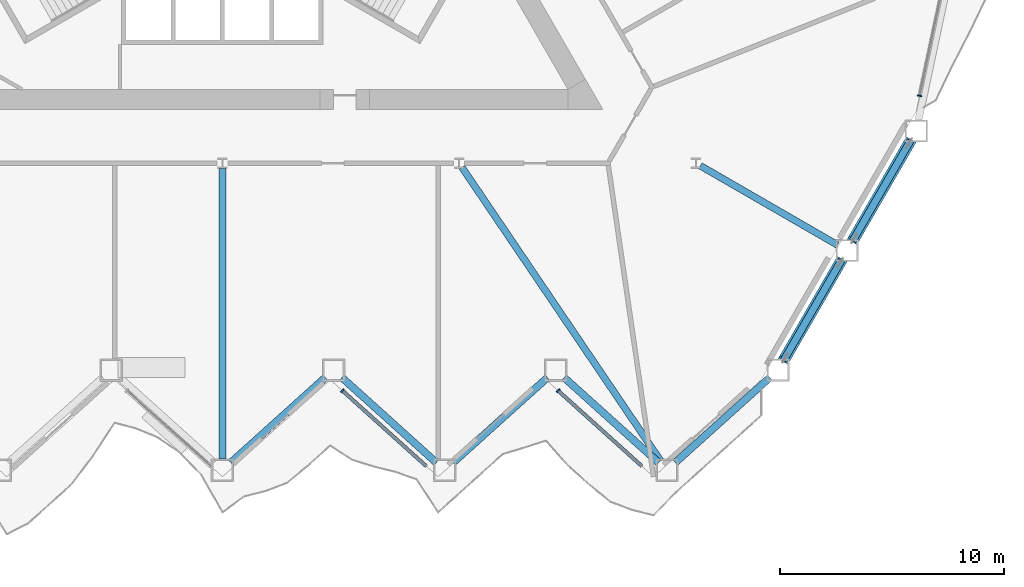
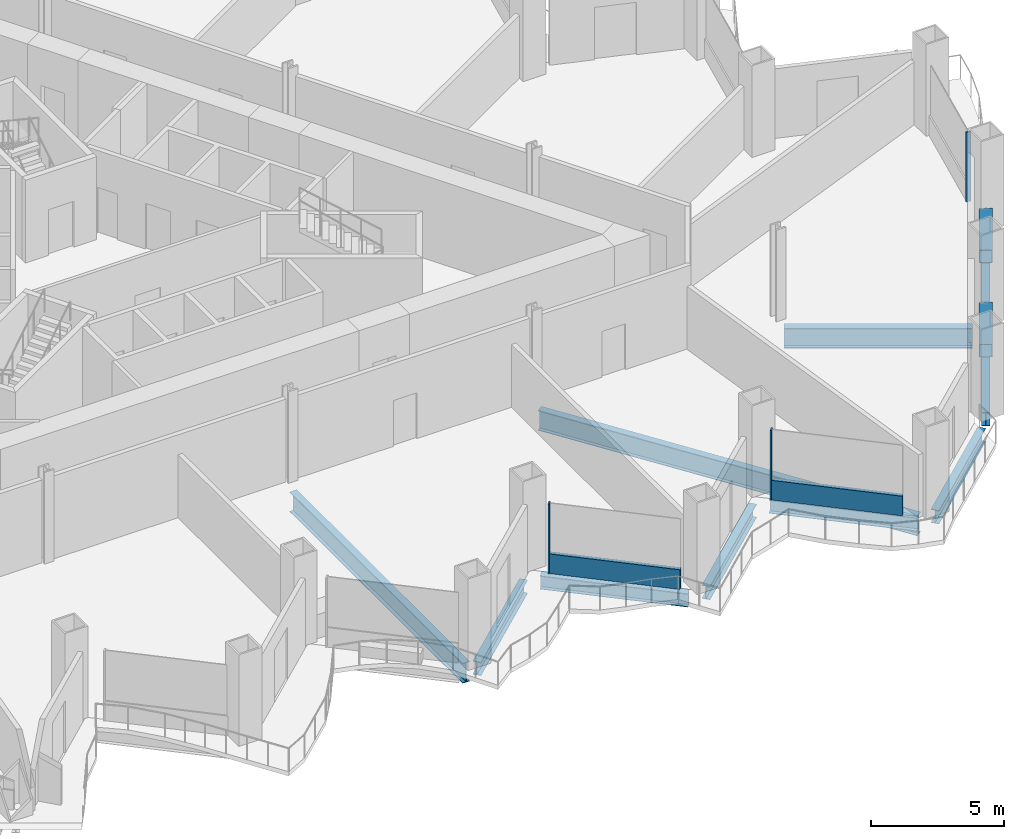
# One storey, part 4 of 20: 10 beams, 7 members, 3 elements without a shape of their own.
"""IFC4 building model written with IfcOpenShell, lengths in metres."""

import ifcopenshell
import ifcopenshell.guid

model = None  # the IFC model being written
_history = None  # IfcOwnerHistory: only IFC2X3 demands one
_inside = {}  # id of a spatial element -> (the spatial element, [elements in it])
_under = {}  # id of a project, library or spatial element -> (it, [spatial elements below it])
_declared = {}  # id of a project -> (the project, [libraries it declares])
_typed = {}  # id of a type object -> (the type object, [elements of that type])
_made_of = {}  # id of a material, layer set ... -> (it, [elements and type objects made of it])


def new_model(schema):
    """Start an empty IFC model of exactly this schema.

    Asked for "IFC4X3", IfcOpenShell would pick the latest addendum, in which some entities
    have other attributes; the version numbers below select the first issue.
    IFC2X3 requires an IfcOwnerHistory on every rooted entity: one is made here for all.
    """
    global model, _history
    if schema == "IFC4X3":
        model = ifcopenshell.file(schema_version=(4, 3, 0, 0))
    else:
        model = ifcopenshell.file(schema=schema)
    _inside.clear()
    _under.clear()
    _declared.clear()
    _typed.clear()
    _made_of.clear()
    _history = None
    if model.schema == "IFC2X3":
        org = make("IfcOrganization", Name="unknown")
        user = make(
            "IfcPersonAndOrganization",
            ThePerson=make("IfcPerson", FamilyName="unknown"),
            TheOrganization=org,
        )
        app = make(
            "IfcApplication",
            ApplicationDeveloper=org,
            Version="unknown",
            ApplicationFullName="unknown",
            ApplicationIdentifier="unknown",
        )
        _history = make(
            "IfcOwnerHistory",
            OwningUser=user,
            OwningApplication=app,
            ChangeAction="ADDED",
            CreationDate=0,
        )
    return model


def make(cls, **values):
    """One entity of the class cls with the attributes given. An attribute that is None is left unset."""
    return model.create_entity(
        cls, **{name: value for name, value in values.items() if value is not None}
    )


def rooted(cls, **values):
    """An entity with a GlobalId (a new one), such as an element, a storey or a relation."""
    return make(cls, GlobalId=ifcopenshell.guid.new(), OwnerHistory=_history, **values)


def si_unit(unit_type, name, prefix=None):
    """IfcSIUnit, for example si_unit("LENGTHUNIT", "METRE", prefix="MILLI")."""
    return make("IfcSIUnit", UnitType=unit_type, Prefix=prefix, Name=name)


def assignment(units):
    """IfcUnitAssignment: the units of a project."""
    return None if units is None else make("IfcUnitAssignment", Units=units)


def point(xyz):
    """IfcCartesianPoint."""
    return None if xyz is None else make("IfcCartesianPoint", Coordinates=xyz)


def direction(xyz):
    """IfcDirection."""
    return None if xyz is None else make("IfcDirection", DirectionRatios=xyz)


def frame(location, z_axis=None, x_axis=None):
    """IfcAxis2Placement3D, a coordinate frame: its origin and axes. An axis left out is left unset."""
    return make(
        "IfcAxis2Placement3D",
        Location=point(location),
        Axis=direction(z_axis),
        RefDirection=direction(x_axis),
    )


def frame_2d(location, x_axis=None):
    """IfcAxis2Placement2D, a coordinate frame in the plane: its origin and x axis."""
    return make(
        "IfcAxis2Placement2D", Location=point(location), RefDirection=direction(x_axis)
    )


def origin():
    """The frame at (0, 0, 0) with its axes left unset."""
    return frame((0.0, 0.0, 0.0))


def origin_2d():
    """The frame at (0, 0) in the plane with its x axis left unset."""
    return frame_2d((0.0, 0.0))


def place(relative_to, where):
    """IfcLocalPlacement: puts the frame where relative to a parent placement (None: the world)."""
    return make(
        "IfcLocalPlacement", PlacementRelTo=relative_to, RelativePlacement=where
    )


def context(
    kind, dimensions, precision=None, world=None, true_north=None, identifier=None
):
    """IfcGeometricRepresentationContext, for example the 3D "Model" context."""
    return make(
        "IfcGeometricRepresentationContext",
        ContextIdentifier=identifier,
        ContextType=kind,
        CoordinateSpaceDimension=dimensions,
        Precision=precision,
        WorldCoordinateSystem=world,
        TrueNorth=true_north,
    )


def subcontext(parent, identifier, kind, view, scale=None):
    """IfcGeometricRepresentationSubContext, for example "Body" below "Model"."""
    return make(
        "IfcGeometricRepresentationSubContext",
        ContextIdentifier=identifier,
        ContextType=kind,
        ParentContext=parent,
        TargetScale=scale,
        TargetView=view,
    )


def project(units=None, contexts=None):
    """IfcProject with its units and contexts."""
    return rooted(
        "IfcProject",
        Name="project",
        RepresentationContexts=contexts,
        UnitsInContext=assignment(units),
    )


def spatial(cls, under=None, at=None, **own):
    """A site, building, storey or space (cls), placed at a placement, below another one or the project."""
    s = rooted(cls, ObjectPlacement=at, **own)
    if under is not None:
        _under.setdefault(under.id(), (under, []))[1].append(s)
    return s


def profile(cls, at=None, kind="AREA", **sizes):
    """A parametric profile (cls). Its sizes go by their IFC names, for example OverallWidth=200.0."""
    return make(cls, ProfileType=kind, Position=at, **sizes)


def rectangle(**sizes):
    """IfcRectangleProfileDef."""
    return profile("IfcRectangleProfileDef", **sizes)


def hollow_rectangle(**sizes):
    """IfcRectangleHollowProfileDef."""
    return profile("IfcRectangleHollowProfileDef", **sizes)


def i_section(**sizes):
    """IfcIShapeProfileDef."""
    return profile("IfcIShapeProfileDef", **sizes)


def extrude(swept, where, along, depth):
    """IfcExtrudedAreaSolid: the profile swept, set in the frame where, extruded along a direction by depth."""
    return make(
        "IfcExtrudedAreaSolid",
        SweptArea=swept,
        Position=where,
        ExtrudedDirection=direction(along),
        Depth=depth,
    )


def shape(context_of_items, identifier, shape_type, items):
    """IfcShapeRepresentation: the items that make up one representation, for example the "Body"."""
    return make(
        "IfcShapeRepresentation",
        ContextOfItems=context_of_items,
        RepresentationIdentifier=identifier,
        RepresentationType=shape_type,
        Items=items,
    )


def material(Name=None, Category=None):
    """IfcMaterial."""
    return make("IfcMaterial", Name=Name, Category=Category)


def layer(
    of_material, thickness, ventilated=None, Name=None, Category=None, Priority=None
):
    """IfcMaterialLayer: one layer of a wall or slab, of a material (None: an air gap)."""
    return make(
        "IfcMaterialLayer",
        Material=of_material,
        LayerThickness=thickness,
        IsVentilated=ventilated,
        Name=Name,
        Category=Category,
        Priority=Priority,
    )


def layer_set(layers, Name=None):
    """IfcMaterialLayerSet."""
    return make("IfcMaterialLayerSet", MaterialLayers=layers, LayerSetName=Name)


def material_profile(
    of_material, cross_section, Name=None, Category=None, Priority=None
):
    """IfcMaterialProfile: a cross section and its material."""
    return make(
        "IfcMaterialProfile",
        Name=Name,
        Material=of_material,
        Profile=cross_section,
        Priority=Priority,
        Category=Category,
    )


def profile_set(profiles, Name=None, composite=None):
    """IfcMaterialProfileSet."""
    return make(
        "IfcMaterialProfileSet",
        Name=Name,
        MaterialProfiles=profiles,
        CompositeProfile=composite,
    )


def made_of(thing, what):
    """Note that an element or type object is made of a material, layer set ...; save() writes the relation."""
    if what is not None:
        _made_of.setdefault(what.id(), (what, []))[1].append(thing)
    return thing


def type_object(cls, material=None, **own):
    """A type object (cls), such as IfcWallType, which elements share."""
    return made_of(rooted(cls, **own), material)


def element(
    cls,
    number,
    at=None,
    inside=None,
    cuts=None,
    type_object=None,
    material=None,
    context=None,
    identifier="Body",
    shape_type=None,
    held_by="IfcProductDefinitionShape",
    body=None,
    shapes=None,
    **own,
):
    """One element of the class cls, such as IfcWall. Its Tag is "e" and its number.

    at: its placement. inside: the storey or other place that contains it. cuts: it is an
    opening in that element (IfcRelVoidsElement). A single representation is given by context,
    identifier, shape_type and body (its items); several are given by shapes. held_by: the class
    of the entity that holds the representations. save() writes the other relations.
    """
    e = rooted(cls, Tag="e%d" % number, ObjectPlacement=at, **own)
    if body is not None:
        shapes = [shape(context, identifier, shape_type, body)]
    if shapes is not None:
        e.Representation = make(held_by, Representations=shapes)
    if inside is not None:
        _inside.setdefault(inside.id(), (inside, []))[1].append(e)
    if cuts is not None:
        rooted(
            "IfcRelVoidsElement", RelatingBuildingElement=cuts, RelatedOpeningElement=e
        )
    if type_object is not None:
        _typed.setdefault(type_object.id(), (type_object, []))[1].append(e)
    return made_of(e, material)


def aggregate(whole, parts):
    """IfcRelAggregates: a whole, such as a stair, and the parts it consists of."""
    return rooted("IfcRelAggregates", RelatingObject=whole, RelatedObjects=parts)


def save(model, path):
    """Write the relations noted so far, then the file.

    IfcRelAggregates (storeys below a building ...), IfcRelContainedInSpatialStructure (elements
    in a storey), IfcRelDefinesByType, IfcRelAssociatesMaterial and IfcRelDeclares: one each for
    every whole, place, type object, material and project.
    """
    for whole, parts in _under.values():
        aggregate(whole, parts)
    for where, things in _inside.values():
        rooted(
            "IfcRelContainedInSpatialStructure",
            RelatedElements=things,
            RelatingStructure=where,
        )
    for kind, things in _typed.values():
        rooted("IfcRelDefinesByType", RelatedObjects=things, RelatingType=kind)
    for what, things in _made_of.values():
        rooted("IfcRelAssociatesMaterial", RelatedObjects=things, RelatingMaterial=what)
    for by, libraries in _declared.values():
        rooted("IfcRelDeclares", RelatingContext=by, RelatedDefinitions=libraries)
    model.write(path)


model = new_model("IFC4")

# Units and contexts
model_context = context("Model", 3, precision=1e-05, world=origin(), true_north=direction((0.0, 1.0)))
body_context = subcontext(model_context, "Body", "Model", "MODEL_VIEW")
ifc_project = project(units=[si_unit("LENGTHUNIT", "METRE"), si_unit("AREAUNIT", "SQUARE_METRE"), si_unit("VOLUMEUNIT", "CUBIC_METRE"), si_unit("PLANEANGLEUNIT", "RADIAN"), si_unit("MASSUNIT", "GRAM", prefix="KILO")], contexts=[model_context])

# Site, building, storey
site_placement = place(None, origin())
site = spatial("IfcSite", under=ifc_project, at=site_placement, CompositionType="ELEMENT")
building_placement = place(site_placement, origin())
building = spatial("IfcBuilding", under=site, at=building_placement, Name="Cormorant Prow Tower", CompositionType="ELEMENT")
storey_placement = place(building_placement, frame((0.0, 0.0, 38.39990234375)))
storey = spatial("IfcBuildingStorey", under=building, at=storey_placement, Name="L07", CompositionType="ELEMENT", Elevation=38.39990234375)

# Members
ifc_material_1 = material(Name="Structural steel ASTM A500 Gr C", Category="steel")
ifc_material_profile_1 = material_profile(ifc_material_1, hollow_rectangle(XDim=0.508056640625, YDim=0.508056640625, WallThickness=0.014892578125, at=origin_2d()), Name="HSS20x20x5/8")
ifc_profile_set_1 = profile_set([ifc_material_profile_1], Name="Structural steel ASTM A500 Gr C")
member_type_1 = type_object("IfcMemberType", Name="Chamfer brace HSS20x20x5/8", PredefinedType="BRACE", material=ifc_profile_set_1)
member_1_placement = place(storey_placement, frame((27.65576171875, -16.566162109375, 0.767333984375), z_axis=(-0.47589308504, -0.824244468952, 0.306833549359), x_axis=(0.866018434186, -0.500012071504, 0.0)))
element("IfcMember", 1, at=member_1_placement, inside=storey, type_object=member_type_1, Name="Chamfer brace BR1 at ESE00 L07", PredefinedType="BRACE", context=body_context, shape_type="SweptSolid", body=[
    extrude(hollow_rectangle(XDim=0.508056640625, YDim=0.508056640625, WallThickness=0.014892578125, at=origin_2d()), origin(), (0.0, 0.0, 1.0), 5.392333984375),
])
member_2_placement = place(storey_placement, frame((30.74072265625, -11.222900390625, 0.767333984375), z_axis=(-0.475875326044, -0.824258984489, 0.306822099191), x_axis=(0.866030326616, -0.499991473309, 0.0)))
element("IfcMember", 2, at=member_2_placement, inside=storey, type_object=member_type_1, Name="Chamfer brace BR1 at ESE01 L07", PredefinedType="BRACE", context=body_context, shape_type="SweptSolid", body=[
    extrude(hollow_rectangle(XDim=0.508056640625, YDim=0.508056640625, WallThickness=0.014892578125, at=origin_2d()), origin(), (0.0, 0.0, 1.0), 5.392578125),
])

# Curtain wall, member
ifc_material_2 = material(Name="Aluminium 6063-T6", Category="aluminium")
ifc_layer = layer(ifc_material_2, 0.199951171875)
ifc_layer_set = layer_set([ifc_layer], Name="Aluminium 6063-T6")
curtain_wall_type = type_object("IfcCurtainWallType", Name="Office unitised curtain wall 200", PredefinedType="NOTDEFINED", material=ifc_layer_set)
curtain_wall_1_placement = place(storey_placement, origin())
curtain_wall_1 = element("IfcCurtainWall", 3, at=curtain_wall_1_placement, inside=storey, type_object=curtain_wall_type, Name="Office curtain wall S06", PredefinedType="NOTDEFINED")
ifc_material_3 = material(Name="Aluminium 6063-T6", Category="aluminium")
ifc_material_profile_2 = material_profile(ifc_material_3, rectangle(XDim=0.199951171875, YDim=0.06005859375, at=origin_2d()), Name="Office mullion 60x200")
ifc_profile_set_2 = profile_set([ifc_material_profile_2], Name="Aluminium 6063-T6")
member_type_2 = type_object("IfcMemberType", Name="Office mullion 60x200", PredefinedType="MULLION", material=ifc_profile_set_2)
member_3_placement = place(storey_placement, frame((5.3623046875, -22.379150390625, 0.0), z_axis=(0.0, 0.0, 1.0), x_axis=(0.669130597396, 0.743144833547, 0.0)))
member_3 = element("IfcMember", 4, at=member_3_placement, type_object=member_type_2, Name="Office mullion S06", PredefinedType="MULLION", context=body_context, shape_type="SweptSolid", body=[
    extrude(rectangle(XDim=0.199951171875, YDim=0.06005859375, at=origin_2d()), origin(), (0.0, 0.0, 1.0), 3.18896484375),
])

curtain_wall_2_placement = place(storey_placement, origin())
curtain_wall_2 = element("IfcCurtainWall", 5, at=curtain_wall_2_placement, inside=storey, type_object=curtain_wall_type, Name="Office curtain wall S08", PredefinedType="NOTDEFINED")
member_4_placement = place(storey_placement, frame((14.997314453125, -22.379150390625, 0.0), z_axis=(0.0, 0.0, 1.0), x_axis=(0.669130597396, 0.743144833547, 0.0)))
member_4 = element("IfcMember", 6, at=member_4_placement, type_object=member_type_2, Name="Office mullion S08", PredefinedType="MULLION", context=body_context, shape_type="SweptSolid", body=[
    extrude(rectangle(XDim=0.199951171875, YDim=0.06005859375, at=origin_2d()), origin(), (0.0, 0.0, 1.0), 3.18896484375),
])

curtain_wall_3_placement = place(storey_placement, origin())
curtain_wall_3 = element("IfcCurtainWall", 7, at=curtain_wall_3_placement, inside=storey, type_object=curtain_wall_type, Name="Office curtain wall ENE00", PredefinedType="NOTDEFINED")
member_5_placement = place(storey_placement, frame((31.15234375, -9.19921875, 0.0), z_axis=(0.0, 0.0, 1.0), x_axis=(-0.978147585671, 0.207911761683, 0.0)))
member_5 = element("IfcMember", 8, at=member_5_placement, type_object=member_type_2, Name="Office mullion ENE00", PredefinedType="MULLION", context=body_context, shape_type="SweptSolid", body=[
    extrude(rectangle(XDim=0.199951171875, YDim=0.06005859375, at=origin_2d()), origin(), (0.0, 0.0, 1.0), 3.18896484375),
])
aggregate(curtain_wall_3, [member_5])

# Member
ifc_material_4 = material(Name="Terracotta", Category="masonry")
ifc_material_profile_3 = material_profile(ifc_material_4, rectangle(XDim=0.159912109375, YDim=0.89990234375, at=origin_2d()), Name="Office terracotta spandrel rail 160x900")
ifc_profile_set_3 = profile_set([ifc_material_profile_3], Name="Terracotta")
member_type_3 = type_object("IfcMemberType", Name="Office terracotta spandrel rail 160x900", PredefinedType="USERDEFINED", material=ifc_profile_set_3)
member_6_placement = place(storey_placement, frame((5.384521484375, -22.399169921875, 0.4501953125), z_axis=(0.743146523264, -0.66912872077, 0.0), x_axis=(0.66912872077, 0.743146523264, 0.0)))
member_6 = element("IfcMember", 9, at=member_6_placement, type_object=member_type_3, Name="Office spandrel rail S06", ObjectType="TRANSOM", PredefinedType="USERDEFINED", context=body_context, shape_type="SweptSolid", body=[
    extrude(rectangle(XDim=0.159912109375, YDim=0.89990234375, at=origin_2d()), origin(), (0.0, 0.0, 1.0), 5.016845703125),
])

aggregate(curtain_wall_1, [member_3, member_6])

member_7_placement = place(storey_placement, frame((15.019775390625, -22.399169921875, 0.4501953125), z_axis=(0.743124733633, -0.669152919938, 0.0), x_axis=(0.669152919938, 0.743124733633, 0.0)))
member_7 = element("IfcMember", 10, at=member_7_placement, type_object=member_type_3, Name="Office spandrel rail S08", ObjectType="TRANSOM", PredefinedType="USERDEFINED", context=body_context, shape_type="SweptSolid", body=[
    extrude(rectangle(XDim=0.159912109375, YDim=0.89990234375, at=origin_2d()), origin(), (0.0, 0.0, 1.0), 5.0166015625),
])

aggregate(curtain_wall_2, [member_4, member_7])

# Beams
ifc_material_5 = material(Name="Structural steel ASTM A992 Gr 50", Category="steel")
ifc_material_profile_4 = material_profile(ifc_material_5, i_section(OverallWidth=0.3046875, OverallDepth=0.914794921875, WebThickness=0.0166015625, FlangeThickness=0.02587890625, at=origin_2d()), Name="W36x160")
ifc_profile_set_4 = profile_set([ifc_material_profile_4], Name="Structural steel ASTM A992 Gr 50")
beam_type_1 = type_object("IfcBeamType", Name="Radial floor beam W36x160", PredefinedType="BEAM", material=ifc_profile_set_4)
beam_1_placement = place(storey_placement, frame((0.0, -12.447265625, -0.857177734375), z_axis=(0.0, -1.0, 0.0), x_axis=(1.0, 0.0, 0.0)))
element("IfcBeam", 11, at=beam_1_placement, inside=storey, type_object=beam_type_1, Name="Radial floor beam FB1 7 L07", PredefinedType="BEAM", context=body_context, shape_type="SweptSolid", body=[
    extrude(i_section(OverallWidth=0.3046875, OverallDepth=0.914794921875, WebThickness=0.0166015625, FlangeThickness=0.02587890625, at=origin_2d()), origin(), (0.0, 0.0, 1.0), 12.984130859375),
])
beam_2_placement = place(storey_placement, frame((10.708740234375, -12.4072265625, -0.857177734375), z_axis=(0.560597160775, -0.828088656685, 0.0), x_axis=(0.828088656685, 0.560597160775, 0.0)))
element("IfcBeam", 12, at=beam_2_placement, inside=storey, type_object=beam_type_1, Name="Radial floor beam FB1 8 L07", PredefinedType="BEAM", context=body_context, shape_type="SweptSolid", body=[
    extrude(i_section(OverallWidth=0.3046875, OverallDepth=0.914794921875, WebThickness=0.0166015625, FlangeThickness=0.02587890625, at=origin_2d()), origin(), (0.0, 0.0, 1.0), 15.831787109375),
])
beam_3_placement = place(storey_placement, frame((21.358154296875, -12.3310546875, -0.857177734375), z_axis=(0.866014253463, -0.500019312426, 0.0), x_axis=(0.500019312426, 0.866014253463, 0.0)))
element("IfcBeam", 13, at=beam_3_placement, inside=storey, type_object=beam_type_1, Name="Radial floor beam FB1 9 L07", PredefinedType="BEAM", context=body_context, shape_type="SweptSolid", body=[
    extrude(i_section(OverallWidth=0.3046875, OverallDepth=0.914794921875, WebThickness=0.0166015625, FlangeThickness=0.02587890625, at=origin_2d()), origin(), (0.0, 0.0, 1.0), 7.071533203125),
])
ifc_material_6 = material(Name="Structural steel ASTM A992 Gr 50", Category="steel")
ifc_material_profile_5 = material_profile(ifc_material_6, i_section(OverallWidth=0.32373046875, OverallDepth=0.611083984375, WebThickness=0.0126953125, FlangeThickness=0.01904296875, at=origin_2d()), Name="W24x104")
ifc_profile_set_5 = profile_set([ifc_material_profile_5], Name="Structural steel ASTM A992 Gr 50")
beam_type_2 = type_object("IfcBeamType", Name="Spandrel beam W24x104", PredefinedType="SPANDREL", material=ifc_profile_set_5)
for number, where, z_axis, x_axis, name in (
    (14, (0.37158203125, -25.596923828125, -0.70556640625), (0.743129630386, 0.669147481833, 0.0), (-0.669147481833, 0.743129630386, 0.0), "Spandrel beam SB1 S05-S06 L07"),
    (15, (5.337646484375, -21.79443359375, -0.70556640625), (0.743129630386, -0.669147481833, 0.0), (0.669147481833, 0.743129630386, 0.0), "Spandrel beam SB1 S06-S07 L07"),
    (16, (10.3037109375, -25.596923828125, -0.70556640625), (0.743129630386, 0.669147481833, 0.0), (-0.669147481833, 0.743129630386, 0.0), "Spandrel beam SB1 S07-S08 L07"),
    (17, (15.269775390625, -21.79443359375, -0.70556640625), (0.743129630386, -0.669147481833, 0.0), (0.669147481833, 0.743129630386, 0.0), "Spandrel beam SB1 S08-S09 L07"),
    (18, (20.23583984375, -25.596923828125, -0.70556640625), (0.743129630386, 0.669147481833, 0.0), (-0.669147481833, 0.743129630386, 0.0), "Spandrel beam SB1 S09-ESE00 L07"),
):
    element("IfcBeam", number, at=place(storey_placement, frame(where, z_axis=z_axis, x_axis=x_axis)), inside=storey, type_object=beam_type_2, Name=name, PredefinedType="SPANDREL", context=body_context, shape_type="SweptSolid", body=[
        extrude(i_section(OverallWidth=0.32373046875, OverallDepth=0.611083984375, WebThickness=0.0126953125, FlangeThickness=0.01904296875, at=origin_2d()), origin(), (0.0, 0.0, 1.0), 5.6826171875),
    ])
for number, where, z_axis, x_axis, name in (
    (19, (25.080322265625, -21.02685546875, -0.70556640625), (0.500019507279, 0.866014140959, 0.0), (-0.866014140959, 0.500019507279, 0.0), "Spandrel beam SB1 ESE00-ESE01 L07"),
    (20, (28.165283203125, -15.683837890625, -0.70556640625), (0.49998408811, 0.866034590324, 0.0), (-0.866034590324, 0.49998408811, 0.0), "Spandrel beam SB1 ESE01-ENE00 L07"),
):
    element("IfcBeam", number, at=place(storey_placement, frame(where, z_axis=z_axis, x_axis=x_axis)), inside=storey, type_object=beam_type_2, Name=name, PredefinedType="SPANDREL", context=body_context, shape_type="SweptSolid", body=[
        extrude(i_section(OverallWidth=0.32373046875, OverallDepth=0.611083984375, WebThickness=0.0126953125, FlangeThickness=0.01904296875, at=origin_2d()), origin(), (0.0, 0.0, 1.0), 5.169677734375),
    ])

save(model, "model.ifc")
